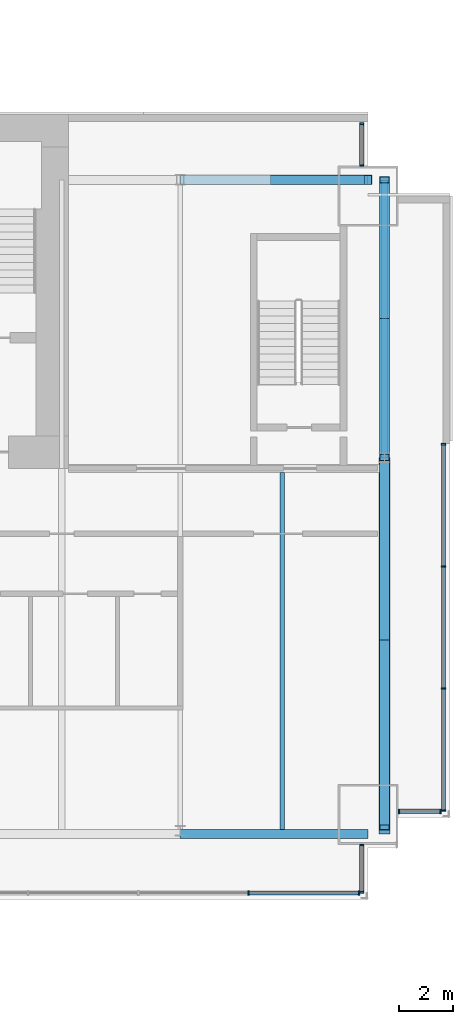
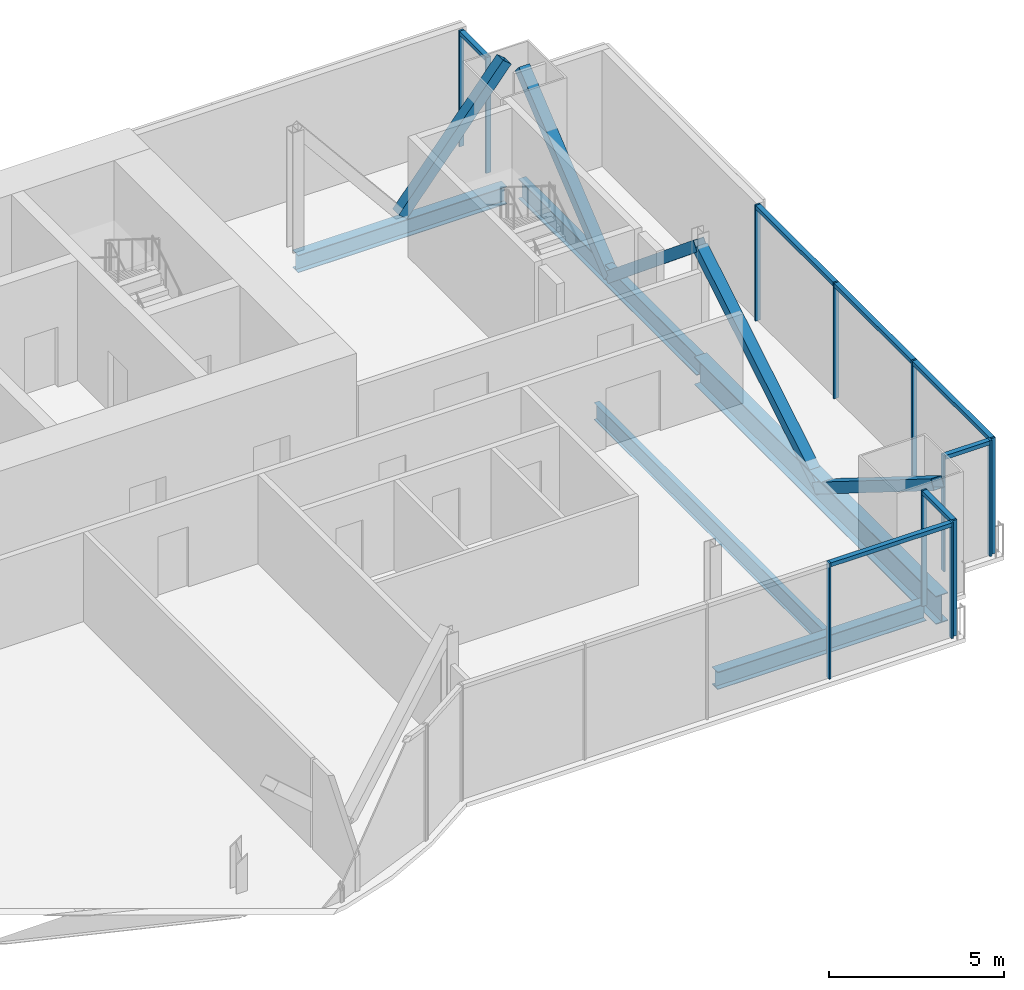
# One storey, part 11 of 19: 24 members, 5 beams, 5 elements without a shape of their own.
"""IFC4 building model written with IfcOpenShell, lengths in metres."""

from ifc_helpers import new_model, si_unit, direction, frame, origin, origin_2d, place, context, subcontext, project, spatial, rectangle, hollow_rectangle, i_section, extrude, material, material_profile, profile_set, type_object, element, aggregate, save


model = new_model("IFC4")

# Units and contexts
model_context = context("Model", 3, precision=1e-05, world=origin(), true_north=direction((0.0, 1.0)))
body_context = subcontext(model_context, "Body", "Model", "MODEL_VIEW")
ifc_project = project(units=[si_unit("LENGTHUNIT", "METRE"), si_unit("AREAUNIT", "SQUARE_METRE"), si_unit("VOLUMEUNIT", "CUBIC_METRE"), si_unit("PLANEANGLEUNIT", "RADIAN"), si_unit("MASSUNIT", "GRAM", prefix="KILO")], contexts=[model_context])

# Site, building, storey
site_placement = place(None, origin())
site = spatial("IfcSite", under=ifc_project, at=site_placement, CompositionType="ELEMENT")
building_placement = place(site_placement, origin())
building = spatial("IfcBuilding", under=site, at=building_placement, Name="Bicima Exchange Tower", CompositionType="ELEMENT")
storey_placement = place(building_placement, frame((0.0, 0.0, 266.60009765625)))
storey = spatial("IfcBuildingStorey", under=building, at=storey_placement, Name="L60", CompositionType="ELEMENT", Elevation=266.60009765625)

# Curtain wall, members
ifc_material_1 = material(Name="Anodised bronze aluminium", Category="aluminium")
curtain_wall_type_1 = type_object("IfcCurtainWallType", Name="End face glass wall", PredefinedType="NOTDEFINED", material=ifc_material_1)
curtain_wall_1_placement = place(storey_placement, origin())
curtain_wall_1 = element("IfcCurtainWall", 1, at=curtain_wall_1_placement, inside=storey, type_object=curtain_wall_type_1, Name="End face glass wall L60 run 19", PredefinedType="NOTDEFINED")
ifc_material_profile_1 = material_profile(ifc_material_1, rectangle(XDim=0.159912109375, YDim=0.06005859375, at=origin_2d()))
ifc_profile_set_1 = profile_set([ifc_material_profile_1], Name="Anodised bronze aluminium")
member_type_1 = type_object("IfcMemberType", Name="End face glass wall mullion 60 x 160", PredefinedType="MULLION", material=ifc_profile_set_1)
member_1_placement = place(storey_placement, frame((35.77001953125, -25.56396484375, 0.0), z_axis=(0.0, 0.0, 1.0), x_axis=(-1.0, 0.0, 0.0)))
member_1 = element("IfcMember", 2, at=member_1_placement, type_object=member_type_1, Name="End face glass wall mullion 1", PredefinedType="MULLION", context=body_context, shape_type="SweptSolid", body=[
    extrude(rectangle(XDim=0.159912109375, YDim=0.06005859375, at=origin_2d()), origin(), (0.0, 0.0, 1.0), 4.0498046875),
])
member_2_placement = place(storey_placement, frame((35.77001953125, -21.079345703125, 0.0), z_axis=(0.0, 0.0, 1.0), x_axis=(-1.0, 0.0, 0.0)))
member_2 = element("IfcMember", 3, at=member_2_placement, type_object=member_type_1, Name="End face glass wall mullion 2", PredefinedType="MULLION", context=body_context, shape_type="SweptSolid", body=[
    extrude(rectangle(XDim=0.159912109375, YDim=0.06005859375, at=origin_2d()), origin(), (0.0, 0.0, 1.0), 4.0498046875),
])
member_3_placement = place(storey_placement, frame((35.77001953125, -16.5947265625, 0.0), z_axis=(0.0, 0.0, 1.0), x_axis=(-1.0, 0.0, 0.0)))
member_3 = element("IfcMember", 4, at=member_3_placement, type_object=member_type_1, Name="End face glass wall mullion 3", PredefinedType="MULLION", context=body_context, shape_type="SweptSolid", body=[
    extrude(rectangle(XDim=0.159912109375, YDim=0.06005859375, at=origin_2d()), origin(), (0.0, 0.0, 1.0), 4.0498046875),
])
member_4_placement = place(storey_placement, frame((35.77001953125, -12.110107421875, 0.0), z_axis=(0.0, 0.0, 1.0), x_axis=(-1.0, 0.0, 0.0)))
member_4 = element("IfcMember", 5, at=member_4_placement, type_object=member_type_1, Name="End face glass wall mullion 4", PredefinedType="MULLION", context=body_context, shape_type="SweptSolid", body=[
    extrude(rectangle(XDim=0.159912109375, YDim=0.06005859375, at=origin_2d()), origin(), (0.0, 0.0, 1.0), 4.0498046875),
])
ifc_material_profile_2 = material_profile(ifc_material_1, rectangle(XDim=0.159912109375, YDim=0.139892578125, at=origin_2d()))
ifc_profile_set_2 = profile_set([ifc_material_profile_2], Name="Anodised bronze aluminium")
member_type_2 = type_object("IfcMemberType", Name="End face glass wall transom 140 x 160", PredefinedType="USERDEFINED", material=ifc_profile_set_2)
member_5_placement = place(storey_placement, frame((35.77001953125, -25.533935546875, 3.97998046875), z_axis=(0.0, 1.0, 0.0), x_axis=(-1.0, 0.0, 0.0)))
member_5 = element("IfcMember", 6, at=member_5_placement, type_object=member_type_2, Name="End face glass wall transom 1.1", ObjectType="TRANSOM", PredefinedType="USERDEFINED", context=body_context, shape_type="SweptSolid", body=[
    extrude(rectangle(XDim=0.159912109375, YDim=0.139892578125, at=origin_2d()), origin(), (0.0, 0.0, 1.0), 4.424560546875),
])
member_6_placement = place(storey_placement, frame((35.77001953125, -21.04931640625, 3.97998046875), z_axis=(0.0, 1.0, 0.0), x_axis=(-1.0, 0.0, 0.0)))
member_6 = element("IfcMember", 7, at=member_6_placement, type_object=member_type_2, Name="End face glass wall transom 2.1", ObjectType="TRANSOM", PredefinedType="USERDEFINED", context=body_context, shape_type="SweptSolid", body=[
    extrude(rectangle(XDim=0.159912109375, YDim=0.139892578125, at=origin_2d()), origin(), (0.0, 0.0, 1.0), 4.424560546875),
])
member_7_placement = place(storey_placement, frame((35.77001953125, -16.564697265625, 3.97998046875), z_axis=(0.0, 1.0, 0.0), x_axis=(-1.0, 0.0, 0.0)))
member_7 = element("IfcMember", 8, at=member_7_placement, type_object=member_type_2, Name="End face glass wall transom 3.1", ObjectType="TRANSOM", PredefinedType="USERDEFINED", context=body_context, shape_type="SweptSolid", body=[
    extrude(rectangle(XDim=0.159912109375, YDim=0.139892578125, at=origin_2d()), origin(), (0.0, 0.0, 1.0), 4.4248046875),
])
aggregate(curtain_wall_1, [member_1, member_2, member_3, member_4, member_5, member_6, member_7])

# Beams
ifc_material_2 = material(Name="Steel ASTM A992 Gr 50", Category="steel")
ifc_material_profile_3 = material_profile(ifc_material_2, i_section(OverallWidth=0.256591796875, OverallDepth=0.693359375, WebThickness=0.014404296875, FlangeThickness=0.023681640625, at=origin_2d()))
ifc_profile_set_3 = profile_set([ifc_material_profile_3], Name="Steel ASTM A992 Gr 50")
beam_type_1 = type_object("IfcBeamType", Name="End girder W27x114", PredefinedType="BEAM", material=ifc_profile_set_3)
beam_1_placement = place(storey_placement, frame((33.60009765625, -2.39990234375, -0.496826171875), z_axis=(0.0, -1.0, 0.0), x_axis=(1.0, 0.0, 0.0)))
element("IfcBeam", 9, at=beam_1_placement, inside=storey, type_object=beam_type_1, Name="End girder", PredefinedType="BEAM", context=body_context, shape_type="SweptSolid", body=[
    extrude(i_section(OverallWidth=0.256591796875, OverallDepth=0.693359375, WebThickness=0.014404296875, FlangeThickness=0.023681640625, at=origin_2d()), origin(), (0.0, 0.0, 1.0), 10.2001953125),
])
ifc_material_profile_4 = material_profile(ifc_material_2, i_section(OverallWidth=0.4013671875, OverallDepth=0.990478515625, WebThickness=0.0166015625, FlangeThickness=0.031005859375, at=origin_2d()))
ifc_profile_set_4 = profile_set([ifc_material_profile_4], Name="Steel ASTM A992 Gr 50")
beam_type_2 = type_object("IfcBeamType", Name="End girder W40x215", PredefinedType="BEAM", material=ifc_profile_set_4)
beam_2_placement = place(storey_placement, frame((33.60009765625, -12.60009765625, -0.6455078125), z_axis=(0.0, -1.0, 0.0), x_axis=(1.0, 0.0, 0.0)))
element("IfcBeam", 10, at=beam_2_placement, inside=storey, type_object=beam_type_2, Name="End girder", PredefinedType="BEAM", context=body_context, shape_type="SweptSolid", body=[
    extrude(i_section(OverallWidth=0.4013671875, OverallDepth=0.990478515625, WebThickness=0.0166015625, FlangeThickness=0.031005859375, at=origin_2d()), origin(), (0.0, 0.0, 1.0), 13.823974609375),
])
ifc_material_profile_5 = material_profile(ifc_material_2, i_section(OverallWidth=0.177978515625, OverallDepth=0.599365234375, WebThickness=0.010009765625, FlangeThickness=0.012939453125, at=origin_2d()))
ifc_profile_set_5 = profile_set([ifc_material_profile_5], Name="Steel ASTM A992 Gr 50")
beam_type_3 = type_object("IfcBeamType", Name="Floor beam W24x55", PredefinedType="JOIST", material=ifc_profile_set_5)
beam_3_placement = place(storey_placement, frame((29.85009765625, -13.15234375, -0.44970703125), z_axis=(0.0, -1.0, 0.0), x_axis=(1.0, 0.0, 0.0)))
element("IfcBeam", 11, at=beam_3_placement, inside=storey, type_object=beam_type_3, Name="Floor beam", PredefinedType="JOIST", context=body_context, shape_type="SweptSolid", body=[
    extrude(i_section(OverallWidth=0.177978515625, OverallDepth=0.599365234375, WebThickness=0.010009765625, FlangeThickness=0.012939453125, at=origin_2d()), origin(), (0.0, 0.0, 1.0), 13.109130859375),
])
ifc_material_profile_6 = material_profile(ifc_material_2, i_section(OverallWidth=0.3251953125, OverallDepth=0.612060546875, WebThickness=0.0126953125, FlangeThickness=0.01904296875, at=origin_2d()))
ifc_profile_set_6 = profile_set([ifc_material_profile_6], Name="Steel ASTM A992 Gr 50")
beam_type_4 = type_object("IfcBeamType", Name="Front girder W24x104", PredefinedType="BEAM", material=ifc_profile_set_6)
beam_4_placement = place(storey_placement, frame((26.10009765625, -26.424072265625, -0.456298828125), z_axis=(1.0, 0.0, 0.0), x_axis=(0.0, 1.0, 0.0)))
element("IfcBeam", 12, at=beam_4_placement, inside=storey, type_object=beam_type_4, Name="Front girder", PredefinedType="BEAM", context=body_context, shape_type="SweptSolid", body=[
    extrude(i_section(OverallWidth=0.3251953125, OverallDepth=0.612060546875, WebThickness=0.0126953125, FlangeThickness=0.01904296875, at=origin_2d()), origin(), (0.0, 0.0, 1.0), 6.89990234375),
])

# Curtain wall, members
curtain_wall_type_2 = type_object("IfcCurtainWallType", Name="Front glass wall", PredefinedType="NOTDEFINED", material=ifc_material_1)
curtain_wall_2_placement = place(storey_placement, origin())
curtain_wall_2 = element("IfcCurtainWall", 13, at=curtain_wall_2_placement, inside=storey, type_object=curtain_wall_type_2, Name="Front glass wall L60 run 16", PredefinedType="NOTDEFINED")
member_type_3 = type_object("IfcMemberType", Name="Front glass wall mullion 60 x 160", PredefinedType="MULLION", material=ifc_profile_set_1)
member_8_placement = place(storey_placement, frame((28.610595703125, -28.593994140625, 0.0), z_axis=(0.0, 0.0, 1.0), x_axis=(0.0, 1.0, 0.0)))
member_8 = element("IfcMember", 14, at=member_8_placement, type_object=member_type_3, Name="Front glass wall mullion 4", PredefinedType="MULLION", context=body_context, shape_type="SweptSolid", body=[
    extrude(rectangle(XDim=0.159912109375, YDim=0.06005859375, at=origin_2d()), origin(), (0.0, 0.0, 1.0), 4.0498046875),
])
member_9_placement = place(storey_placement, frame((32.659912109375, -28.593994140625, 0.0), z_axis=(0.0, 0.0, 1.0), x_axis=(0.0, 1.0, 0.0)))
member_9 = element("IfcMember", 15, at=member_9_placement, type_object=member_type_3, Name="Front glass wall mullion 5", PredefinedType="MULLION", context=body_context, shape_type="SweptSolid", body=[
    extrude(rectangle(XDim=0.159912109375, YDim=0.06005859375, at=origin_2d()), origin(), (0.0, 0.0, 1.0), 4.0498046875),
])

curtain_wall_3_placement = place(storey_placement, origin())
curtain_wall_3 = element("IfcCurtainWall", 16, at=curtain_wall_3_placement, inside=storey, type_object=curtain_wall_type_2, Name="Front glass wall L60 run 17", PredefinedType="NOTDEFINED")
member_10_placement = place(storey_placement, frame((32.77001953125, -28.56396484375, 0.0), z_axis=(0.0, 0.0, 1.0), x_axis=(-1.0, 0.0, 0.0)))
member_10 = element("IfcMember", 17, at=member_10_placement, type_object=member_type_3, Name="Front glass wall mullion 1", PredefinedType="MULLION", context=body_context, shape_type="SweptSolid", body=[
    extrude(rectangle(XDim=0.159912109375, YDim=0.06005859375, at=origin_2d()), origin(), (0.0, 0.0, 1.0), 4.0498046875),
])
member_11_placement = place(storey_placement, frame((32.77001953125, -26.83203125, 0.0), z_axis=(0.0, 0.0, 1.0), x_axis=(-1.0, 0.0, 0.0)))
member_11 = element("IfcMember", 18, at=member_11_placement, type_object=member_type_3, Name="Front glass wall mullion 2", PredefinedType="MULLION", context=body_context, shape_type="SweptSolid", body=[
    extrude(rectangle(XDim=0.159912109375, YDim=0.06005859375, at=origin_2d()), origin(), (0.0, 0.0, 1.0), 4.0498046875),
])

curtain_wall_4_placement = place(storey_placement, origin())
curtain_wall_4 = element("IfcCurtainWall", 19, at=curtain_wall_4_placement, inside=storey, type_object=curtain_wall_type_2, Name="Front glass wall L60 run 18", PredefinedType="NOTDEFINED")
member_12_placement = place(storey_placement, frame((34.1298828125, -25.593994140625, 0.0), z_axis=(0.0, 0.0, 1.0), x_axis=(0.0, 1.0, 0.0)))
member_12 = element("IfcMember", 20, at=member_12_placement, type_object=member_type_3, Name="Front glass wall mullion 1", PredefinedType="MULLION", context=body_context, shape_type="SweptSolid", body=[
    extrude(rectangle(XDim=0.159912109375, YDim=0.06005859375, at=origin_2d()), origin(), (0.0, 0.0, 1.0), 4.0498046875),
])
member_13_placement = place(storey_placement, frame((35.659912109375, -25.593994140625, 0.0), z_axis=(0.0, 0.0, 1.0), x_axis=(0.0, 1.0, 0.0)))
member_13 = element("IfcMember", 21, at=member_13_placement, type_object=member_type_3, Name="Front glass wall mullion 2", PredefinedType="MULLION", context=body_context, shape_type="SweptSolid", body=[
    extrude(rectangle(XDim=0.159912109375, YDim=0.06005859375, at=origin_2d()), origin(), (0.0, 0.0, 1.0), 4.0498046875),
])

curtain_wall_5_placement = place(storey_placement, origin())
curtain_wall_5 = element("IfcCurtainWall", 22, at=curtain_wall_5_placement, inside=storey, type_object=curtain_wall_type_2, Name="Front glass wall L60 run 20", PredefinedType="NOTDEFINED")
member_14_placement = place(storey_placement, frame((32.77001953125, -1.8701171875, 0.0), z_axis=(0.0, 0.0, 1.0), x_axis=(-1.0, 0.0, 0.0)))
member_14 = element("IfcMember", 23, at=member_14_placement, type_object=member_type_3, Name="Front glass wall mullion 1", PredefinedType="MULLION", context=body_context, shape_type="SweptSolid", body=[
    extrude(rectangle(XDim=0.159912109375, YDim=0.06005859375, at=origin_2d()), origin(), (0.0, 0.0, 1.0), 4.0498046875),
])
member_15_placement = place(storey_placement, frame((32.77001953125, -0.340087890625, 0.0), z_axis=(0.0, 0.0, 1.0), x_axis=(-1.0, 0.0, 0.0)))
member_15 = element("IfcMember", 24, at=member_15_placement, type_object=member_type_3, Name="Front glass wall mullion 2", PredefinedType="MULLION", context=body_context, shape_type="SweptSolid", body=[
    extrude(rectangle(XDim=0.159912109375, YDim=0.06005859375, at=origin_2d()), origin(), (0.0, 0.0, 1.0), 4.0498046875),
])

# Member
member_type_4 = type_object("IfcMemberType", Name="Front glass wall transom 140 x 160", PredefinedType="USERDEFINED", material=ifc_profile_set_2)
member_16_placement = place(storey_placement, frame((28.640380859375, -28.593994140625, 3.97998046875), z_axis=(1.0, 0.0, 0.0), x_axis=(0.0, 1.0, 0.0)))
member_16 = element("IfcMember", 25, at=member_16_placement, type_object=member_type_4, Name="Front glass wall transom 4.1", ObjectType="TRANSOM", PredefinedType="USERDEFINED", context=body_context, shape_type="SweptSolid", body=[
    extrude(rectangle(XDim=0.159912109375, YDim=0.139892578125, at=origin_2d()), origin(), (0.0, 0.0, 1.0), 3.989501953125),
])

aggregate(curtain_wall_2, [member_8, member_9, member_16])

member_17_placement = place(storey_placement, frame((32.77001953125, -28.533935546875, 3.97998046875), z_axis=(0.0, 1.0, 0.0), x_axis=(-1.0, 0.0, 0.0)))
member_17 = element("IfcMember", 26, at=member_17_placement, type_object=member_type_4, Name="Front glass wall transom 1.1", ObjectType="TRANSOM", PredefinedType="USERDEFINED", context=body_context, shape_type="SweptSolid", body=[
    extrude(rectangle(XDim=0.159912109375, YDim=0.139892578125, at=origin_2d()), origin(), (0.0, 0.0, 1.0), 1.671875),
])

aggregate(curtain_wall_3, [member_10, member_11, member_17])

member_18_placement = place(storey_placement, frame((34.159912109375, -25.593994140625, 3.97998046875), z_axis=(1.0, 0.0, 0.0), x_axis=(0.0, 1.0, 0.0)))
member_18 = element("IfcMember", 27, at=member_18_placement, type_object=member_type_4, Name="Front glass wall transom 1.1", ObjectType="TRANSOM", PredefinedType="USERDEFINED", context=body_context, shape_type="SweptSolid", body=[
    extrude(rectangle(XDim=0.159912109375, YDim=0.139892578125, at=origin_2d()), origin(), (0.0, 0.0, 1.0), 1.469970703125),
])

aggregate(curtain_wall_4, [member_12, member_13, member_18])

member_19_placement = place(storey_placement, frame((32.77001953125, -1.840087890625, 3.97998046875), z_axis=(0.0, 1.0, 0.0), x_axis=(-1.0, 0.0, 0.0)))
member_19 = element("IfcMember", 28, at=member_19_placement, type_object=member_type_4, Name="Front glass wall transom 1.1", ObjectType="TRANSOM", PredefinedType="USERDEFINED", context=body_context, shape_type="SweptSolid", body=[
    extrude(rectangle(XDim=0.159912109375, YDim=0.139892578125, at=origin_2d()), origin(), (0.0, 0.0, 1.0), 1.469970703125),
])

aggregate(curtain_wall_5, [member_14, member_15, member_19])

# Members
ifc_material_3 = material(Name="Steel ASTM A572 Gr 50", Category="steel")
ifc_material_profile_7 = material_profile(ifc_material_3, hollow_rectangle(XDim=0.355712890625, YDim=0.355712890625, WallThickness=0.0146484375, at=origin_2d()))
ifc_profile_set_7 = profile_set([ifc_material_profile_7], Name="Steel ASTM A572 Gr 50")
member_type_5 = type_object("IfcMemberType", Name="Mega brace HSS14x14x5/8", PredefinedType="BRACE", material=ifc_profile_set_7)
member_20_placement = place(storey_placement, frame((29.550048828125, -2.39990234375, 0.0), z_axis=(0.63473846547, 0.0, 0.772727041362), x_axis=(0.0, 1.0, 0.0)))
element("IfcMember", 29, at=member_20_placement, inside=storey, type_object=member_type_5, Name="Mega brace rear", PredefinedType="BRACE", context=body_context, shape_type="SweptSolid", body=[
    extrude(hollow_rectangle(XDim=0.355712890625, YDim=0.355712890625, WallThickness=0.0146484375, at=origin_2d()), origin(), (0.0, 0.0, 1.0), 5.435302734375),
])
for number, where, z_axis, x_axis, name in (
    (30, (33.60009765625, -7.5, -0.496826171875), (0.0, -0.771939835586, 0.635695595576), (1.0, 0.0, 0.0), "Mega brace east end"),
    (31, (33.60009765625, -7.5, -0.496826171875), (0.0, 0.771939835586, 0.635695595576), (-1.0, 0.0, 0.0), "Mega brace east end"),
):
    element("IfcMember", number, at=place(storey_placement, frame(where, z_axis=z_axis, x_axis=x_axis)), inside=storey, type_object=member_type_5, Name=name, PredefinedType="BRACE", context=body_context, shape_type="SweptSolid", body=[
        extrude(hollow_rectangle(XDim=0.355712890625, YDim=0.355712890625, WallThickness=0.0146484375, at=origin_2d()), origin(), (0.0, 0.0, 1.0), 6.60693359375),
    ])
member_21_placement = place(storey_placement, frame((33.60009765625, -19.389892578125, -0.6455078125), z_axis=(0.0, -0.848238096898, 0.529615078119), x_axis=(1.0, 0.0, 0.0)))
element("IfcMember", 32, at=member_21_placement, inside=storey, type_object=member_type_5, Name="Mega brace east end", PredefinedType="BRACE", context=body_context, shape_type="SweptSolid", body=[
    extrude(hollow_rectangle(XDim=0.355712890625, YDim=0.355712890625, WallThickness=0.0146484375, at=origin_2d()), origin(), (0.0, 0.0, 1.0), 8.0048828125),
])
member_22_placement = place(storey_placement, frame((33.60009765625, -19.634033203125, -0.6455078125), z_axis=(0.0, 0.856463010787, 0.516208398956), x_axis=(-1.0, 0.0, 0.0)))
element("IfcMember", 33, at=member_22_placement, inside=storey, type_object=member_type_5, Name="Mega brace east end", PredefinedType="BRACE", context=body_context, shape_type="SweptSolid", body=[
    extrude(hollow_rectangle(XDim=0.355712890625, YDim=0.355712890625, WallThickness=0.0146484375, at=origin_2d()), origin(), (0.0, 0.0, 1.0), 8.212890625),
])

# Beam
beam_type_5 = type_object("IfcBeamType", Name="Rear girder W24x104", PredefinedType="BEAM", material=ifc_profile_set_6)
beam_5_placement = place(storey_placement, frame((26.10009765625, -2.39990234375, -0.456298828125), z_axis=(1.0, 0.0, 0.0), x_axis=(0.0, 1.0, 0.0)))
element("IfcBeam", 34, at=beam_5_placement, inside=storey, type_object=beam_type_5, Name="Rear girder", PredefinedType="BEAM", context=body_context, shape_type="SweptSolid", body=[
    extrude(i_section(OverallWidth=0.3251953125, OverallDepth=0.612060546875, WebThickness=0.0126953125, FlangeThickness=0.01904296875, at=origin_2d()), origin(), (0.0, 0.0, 1.0), 6.89990234375),
])

save(model, "model.ifc")
